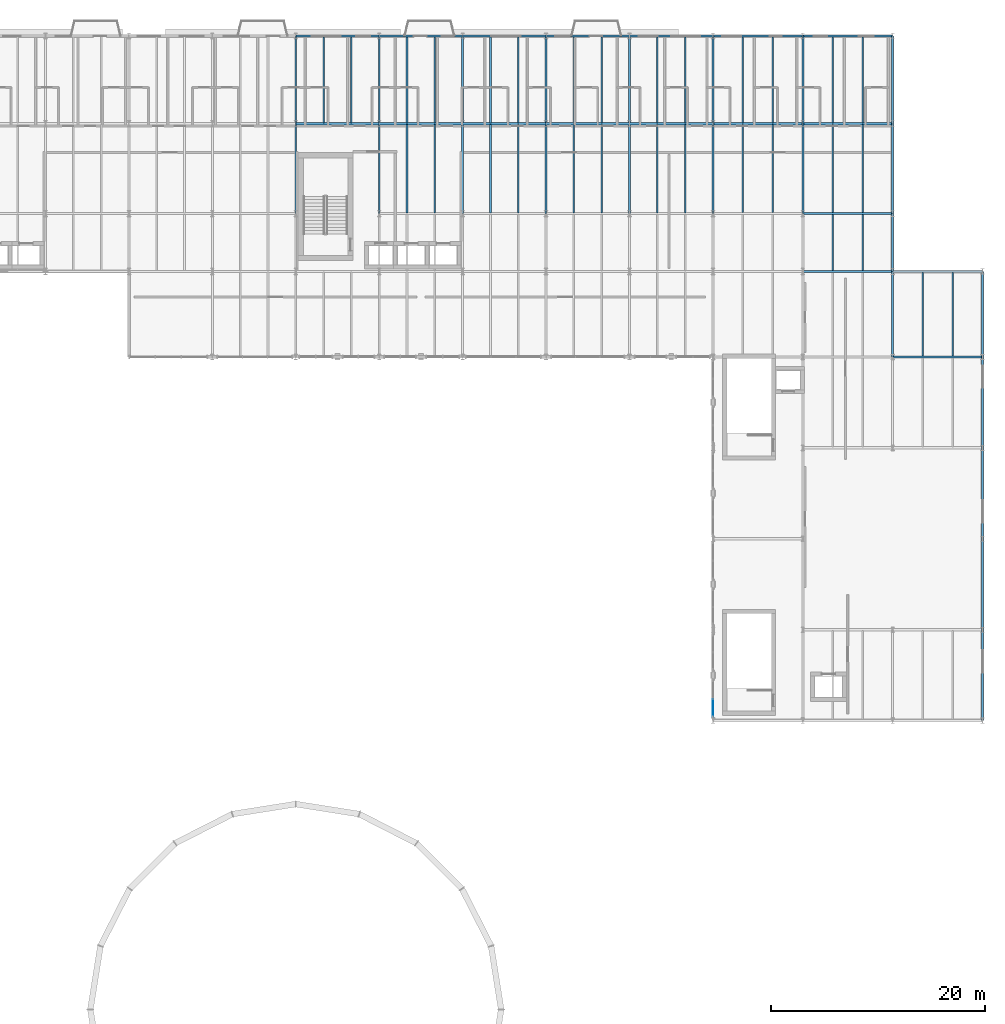
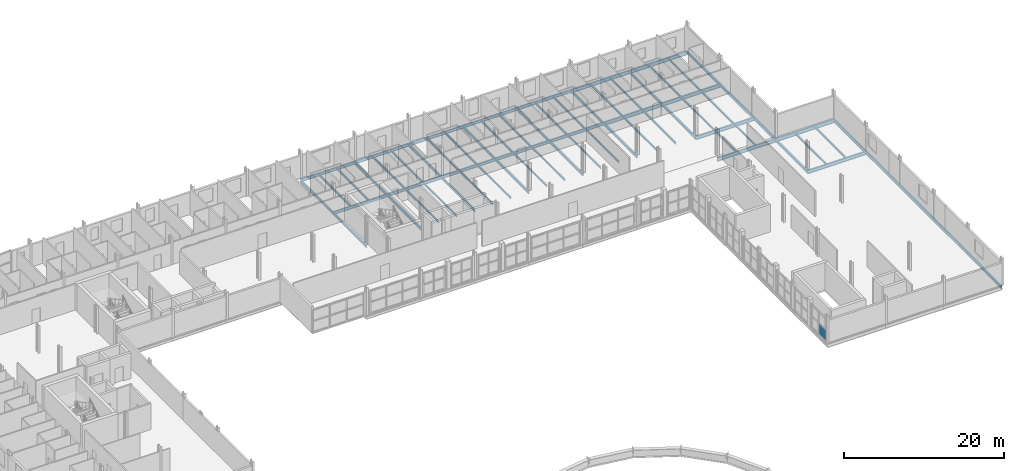
# One storey, part 21 of 45: 71 beams, 1 plate, 1 element without a shape of its own.
"""IFC4 building model written with IfcOpenShell, lengths in metres."""

from ifc_helpers import new_model, si_unit, direction, frame, origin, origin_2d, place, context, subcontext, project, spatial, rectangle, i_section, extrude, material, layer, layer_set, material_profile, profile_set, type_object, element, aggregate, save


model = new_model("IFC4")

# Units and contexts
model_context = context("Model", 3, precision=1e-05, world=origin(), true_north=direction((0.0, 1.0)))
body_context = subcontext(model_context, "Body", "Model", "MODEL_VIEW")
ifc_project = project(units=[si_unit("LENGTHUNIT", "METRE"), si_unit("AREAUNIT", "SQUARE_METRE"), si_unit("VOLUMEUNIT", "CUBIC_METRE"), si_unit("PLANEANGLEUNIT", "RADIAN"), si_unit("MASSUNIT", "GRAM", prefix="KILO")], contexts=[model_context])

# Site, building, storey
site_placement = place(None, origin())
site = spatial("IfcSite", under=ifc_project, at=site_placement, CompositionType="ELEMENT")
building_placement = place(site_placement, origin())
building = spatial("IfcBuilding", under=site, at=building_placement, Name="Sefraquen Railside Congress Hotel", CompositionType="ELEMENT")
storey_placement = place(building_placement, frame((0.0, 0.0, 20.39990234375)))
storey = spatial("IfcBuildingStorey", under=building, at=storey_placement, Name="L04", CompositionType="ELEMENT", Elevation=20.39990234375)

# Beams
ifc_material_1 = material(Name="Steel S355JR", Category="steel")
ifc_material_profile_1 = material_profile(ifc_material_1, i_section(OverallWidth=0.179931640625, OverallDepth=0.39990234375, WebThickness=0.008544921875, FlangeThickness=0.013427734375, FilletRadius=0.02099609375, at=origin_2d()), Name="IPE 400")
ifc_profile_set_1 = profile_set([ifc_material_profile_1], Name="Steel S355JR")
beam_type_1 = type_object("IfcBeamType", Name="TB-BM-400I", PredefinedType="BEAM", material=ifc_profile_set_1)
beam_1_placement = place(storey_placement, frame((64.199951171875, 101.39990234375, -0.47998046875), z_axis=(0.0, 1.0, 0.0), x_axis=(-1.0, 0.0, 0.0)))
element("IfcBeam", 1, at=beam_1_placement, inside=storey, type_object=beam_type_1, Name="Floor beam BM-L04-1378", PredefinedType="BEAM", context=body_context, shape_type="SweptSolid", body=[
    extrude(i_section(OverallWidth=0.179931640625, OverallDepth=0.39990234375, WebThickness=0.008544921875, FlangeThickness=0.013427734375, FilletRadius=0.02099609375, at=origin_2d()), origin(), (0.0, 0.0, 1.0), 8.400146484375),
])
beam_2_placement = place(storey_placement, frame((64.199951171875, 109.800048828125, -0.47998046875), z_axis=(0.0, 1.0, 0.0), x_axis=(-1.0, 0.0, 0.0)))
element("IfcBeam", 2, at=beam_2_placement, inside=storey, type_object=beam_type_1, Name="Floor beam BM-L04-1379", PredefinedType="BEAM", context=body_context, shape_type="SweptSolid", body=[
    extrude(i_section(OverallWidth=0.179931640625, OverallDepth=0.39990234375, WebThickness=0.008544921875, FlangeThickness=0.013427734375, FilletRadius=0.02099609375, at=origin_2d()), origin(), (0.0, 0.0, 1.0), 8.199951171875),
])
beam_3_placement = place(storey_placement, frame((72.0, 101.39990234375, -0.47998046875), z_axis=(0.0, 1.0, 0.0), x_axis=(-1.0, 0.0, 0.0)))
element("IfcBeam", 3, at=beam_3_placement, inside=storey, type_object=beam_type_1, Name="Floor beam BM-L04-1382", PredefinedType="BEAM", context=body_context, shape_type="SweptSolid", body=[
    extrude(i_section(OverallWidth=0.179931640625, OverallDepth=0.39990234375, WebThickness=0.008544921875, FlangeThickness=0.013427734375, FilletRadius=0.02099609375, at=origin_2d()), origin(), (0.0, 0.0, 1.0), 8.400146484375),
])
beam_4_placement = place(storey_placement, frame((72.0, 109.800048828125, -0.47998046875), z_axis=(0.0, 1.0, 0.0), x_axis=(-1.0, 0.0, 0.0)))
element("IfcBeam", 4, at=beam_4_placement, inside=storey, type_object=beam_type_1, Name="Floor beam BM-L04-1383", PredefinedType="BEAM", context=body_context, shape_type="SweptSolid", body=[
    extrude(i_section(OverallWidth=0.179931640625, OverallDepth=0.39990234375, WebThickness=0.008544921875, FlangeThickness=0.013427734375, FilletRadius=0.02099609375, at=origin_2d()), origin(), (0.0, 0.0, 1.0), 8.199951171875),
])
beam_5_placement = place(storey_placement, frame((79.800048828125, 101.39990234375, -0.47998046875), z_axis=(0.0, 1.0, 0.0), x_axis=(-1.0, 0.0, 0.0)))
element("IfcBeam", 5, at=beam_5_placement, inside=storey, type_object=beam_type_1, Name="Floor beam BM-L04-1386", PredefinedType="BEAM", context=body_context, shape_type="SweptSolid", body=[
    extrude(i_section(OverallWidth=0.179931640625, OverallDepth=0.39990234375, WebThickness=0.008544921875, FlangeThickness=0.013427734375, FilletRadius=0.02099609375, at=origin_2d()), origin(), (0.0, 0.0, 1.0), 8.400146484375),
])
beam_6_placement = place(storey_placement, frame((79.800048828125, 109.800048828125, -0.47998046875), z_axis=(0.0, 1.0, 0.0), x_axis=(-1.0, 0.0, 0.0)))
element("IfcBeam", 6, at=beam_6_placement, inside=storey, type_object=beam_type_1, Name="Floor beam BM-L04-1387", PredefinedType="BEAM", context=body_context, shape_type="SweptSolid", body=[
    extrude(i_section(OverallWidth=0.179931640625, OverallDepth=0.39990234375, WebThickness=0.008544921875, FlangeThickness=0.013427734375, FilletRadius=0.02099609375, at=origin_2d()), origin(), (0.0, 0.0, 1.0), 8.199951171875),
])
beam_7_placement = place(storey_placement, frame((87.60009765625, 101.39990234375, -0.47998046875), z_axis=(0.0, 1.0, 0.0), x_axis=(-1.0, 0.0, 0.0)))
element("IfcBeam", 7, at=beam_7_placement, inside=storey, type_object=beam_type_1, Name="Floor beam BM-L04-1390", PredefinedType="BEAM", context=body_context, shape_type="SweptSolid", body=[
    extrude(i_section(OverallWidth=0.179931640625, OverallDepth=0.39990234375, WebThickness=0.008544921875, FlangeThickness=0.013427734375, FilletRadius=0.02099609375, at=origin_2d()), origin(), (0.0, 0.0, 1.0), 8.400146484375),
])
beam_8_placement = place(storey_placement, frame((87.60009765625, 109.800048828125, -0.47998046875), z_axis=(0.0, 1.0, 0.0), x_axis=(-1.0, 0.0, 0.0)))
element("IfcBeam", 8, at=beam_8_placement, inside=storey, type_object=beam_type_1, Name="Floor beam BM-L04-1391", PredefinedType="BEAM", context=body_context, shape_type="SweptSolid", body=[
    extrude(i_section(OverallWidth=0.179931640625, OverallDepth=0.39990234375, WebThickness=0.008544921875, FlangeThickness=0.013427734375, FilletRadius=0.02099609375, at=origin_2d()), origin(), (0.0, 0.0, 1.0), 8.199951171875),
])
beam_9_placement = place(storey_placement, frame((95.39990234375, 101.39990234375, -0.47998046875), z_axis=(0.0, 1.0, 0.0), x_axis=(-1.0, 0.0, 0.0)))
element("IfcBeam", 9, at=beam_9_placement, inside=storey, type_object=beam_type_1, Name="Floor beam BM-L04-1394", PredefinedType="BEAM", context=body_context, shape_type="SweptSolid", body=[
    extrude(i_section(OverallWidth=0.179931640625, OverallDepth=0.39990234375, WebThickness=0.008544921875, FlangeThickness=0.013427734375, FilletRadius=0.02099609375, at=origin_2d()), origin(), (0.0, 0.0, 1.0), 8.400146484375),
])
beam_10_placement = place(storey_placement, frame((95.39990234375, 109.800048828125, -0.47998046875), z_axis=(0.0, 1.0, 0.0), x_axis=(-1.0, 0.0, 0.0)))
element("IfcBeam", 10, at=beam_10_placement, inside=storey, type_object=beam_type_1, Name="Floor beam BM-L04-1395", PredefinedType="BEAM", context=body_context, shape_type="SweptSolid", body=[
    extrude(i_section(OverallWidth=0.179931640625, OverallDepth=0.39990234375, WebThickness=0.008544921875, FlangeThickness=0.013427734375, FilletRadius=0.02099609375, at=origin_2d()), origin(), (0.0, 0.0, 1.0), 8.199951171875),
])
beam_11_placement = place(storey_placement, frame((103.199951171875, 101.39990234375, -0.47998046875), z_axis=(0.0, 1.0, 0.0), x_axis=(-1.0, 0.0, 0.0)))
element("IfcBeam", 11, at=beam_11_placement, inside=storey, type_object=beam_type_1, Name="Floor beam BM-L04-1402", PredefinedType="BEAM", context=body_context, shape_type="SweptSolid", body=[
    extrude(i_section(OverallWidth=0.179931640625, OverallDepth=0.39990234375, WebThickness=0.008544921875, FlangeThickness=0.013427734375, FilletRadius=0.02099609375, at=origin_2d()), origin(), (0.0, 0.0, 1.0), 8.400146484375),
])
beam_12_placement = place(storey_placement, frame((103.199951171875, 109.800048828125, -0.47998046875), z_axis=(0.0, 1.0, 0.0), x_axis=(-1.0, 0.0, 0.0)))
element("IfcBeam", 12, at=beam_12_placement, inside=storey, type_object=beam_type_1, Name="Floor beam BM-L04-1403", PredefinedType="BEAM", context=body_context, shape_type="SweptSolid", body=[
    extrude(i_section(OverallWidth=0.179931640625, OverallDepth=0.39990234375, WebThickness=0.008544921875, FlangeThickness=0.013427734375, FilletRadius=0.02099609375, at=origin_2d()), origin(), (0.0, 0.0, 1.0), 8.199951171875),
])
beam_13_placement = place(storey_placement, frame((111.60009765625, 101.39990234375, -0.47998046875), z_axis=(0.0, 1.0, 0.0), x_axis=(-1.0, 0.0, 0.0)))
element("IfcBeam", 13, at=beam_13_placement, inside=storey, type_object=beam_type_1, Name="Floor beam BM-L04-1410", PredefinedType="BEAM", context=body_context, shape_type="SweptSolid", body=[
    extrude(i_section(OverallWidth=0.179931640625, OverallDepth=0.39990234375, WebThickness=0.008544921875, FlangeThickness=0.013427734375, FilletRadius=0.02099609375, at=origin_2d()), origin(), (0.0, 0.0, 1.0), 8.400146484375),
])
beam_14_placement = place(storey_placement, frame((111.60009765625, 109.800048828125, -0.47998046875), z_axis=(0.0, 1.0, 0.0), x_axis=(-1.0, 0.0, 0.0)))
element("IfcBeam", 14, at=beam_14_placement, inside=storey, type_object=beam_type_1, Name="Floor beam BM-L04-1411", PredefinedType="BEAM", context=body_context, shape_type="SweptSolid", body=[
    extrude(i_section(OverallWidth=0.179931640625, OverallDepth=0.39990234375, WebThickness=0.008544921875, FlangeThickness=0.013427734375, FilletRadius=0.02099609375, at=origin_2d()), origin(), (0.0, 0.0, 1.0), 8.199951171875),
])
beam_15_placement = place(storey_placement, frame((120.0, 88.0, -0.47998046875), z_axis=(0.0, 1.0, 0.0), x_axis=(-1.0, 0.0, 0.0)))
element("IfcBeam", 15, at=beam_15_placement, inside=storey, type_object=beam_type_1, Name="Floor beam BM-L04-1414", PredefinedType="BEAM", context=body_context, shape_type="SweptSolid", body=[
    extrude(i_section(OverallWidth=0.179931640625, OverallDepth=0.39990234375, WebThickness=0.008544921875, FlangeThickness=0.013427734375, FilletRadius=0.02099609375, at=origin_2d()), origin(), (0.0, 0.0, 1.0), 8.0),
])
beam_16_placement = place(storey_placement, frame((120.0, 96.0, -0.47998046875), z_axis=(0.0, 1.0, 0.0), x_axis=(-1.0, 0.0, 0.0)))
element("IfcBeam", 16, at=beam_16_placement, inside=storey, type_object=beam_type_1, Name="Floor beam BM-L04-1415", PredefinedType="BEAM", context=body_context, shape_type="SweptSolid", body=[
    extrude(i_section(OverallWidth=0.179931640625, OverallDepth=0.39990234375, WebThickness=0.008544921875, FlangeThickness=0.013427734375, FilletRadius=0.02099609375, at=origin_2d()), origin(), (0.0, 0.0, 1.0), 5.39990234375),
])
beam_17_placement = place(storey_placement, frame((120.0, 101.39990234375, -0.47998046875), z_axis=(0.0, 1.0, 0.0), x_axis=(-1.0, 0.0, 0.0)))
element("IfcBeam", 17, at=beam_17_placement, inside=storey, type_object=beam_type_1, Name="Floor beam BM-L04-1416", PredefinedType="BEAM", context=body_context, shape_type="SweptSolid", body=[
    extrude(i_section(OverallWidth=0.179931640625, OverallDepth=0.39990234375, WebThickness=0.008544921875, FlangeThickness=0.013427734375, FilletRadius=0.02099609375, at=origin_2d()), origin(), (0.0, 0.0, 1.0), 8.400146484375),
])
beam_18_placement = place(storey_placement, frame((120.0, 109.800048828125, -0.47998046875), z_axis=(0.0, 1.0, 0.0), x_axis=(-1.0, 0.0, 0.0)))
element("IfcBeam", 18, at=beam_18_placement, inside=storey, type_object=beam_type_1, Name="Floor beam BM-L04-1417", PredefinedType="BEAM", context=body_context, shape_type="SweptSolid", body=[
    extrude(i_section(OverallWidth=0.179931640625, OverallDepth=0.39990234375, WebThickness=0.008544921875, FlangeThickness=0.013427734375, FilletRadius=0.02099609375, at=origin_2d()), origin(), (0.0, 0.0, 1.0), 8.199951171875),
])
for number, where, z_axis, x_axis, name in (
    (19, (128.39990234375, 54.0, -0.47998046875), (0.0, 1.0, 0.0), (-1.0, 0.0, 0.0), "Floor beam BM-L04-1418"),
    (20, (128.39990234375, 62.5, -0.47998046875), (0.0, 1.0, 0.0), (-1.0, 0.0, 0.0), "Floor beam BM-L04-1419"),
    (21, (128.39990234375, 71.0, -0.47998046875), (0.0, 1.0, 0.0), (-1.0, 0.0, 0.0), "Floor beam BM-L04-1420"),
    (22, (128.39990234375, 79.5, -0.47998046875), (0.0, 1.0, 0.0), (-1.0, 0.0, 0.0), "Floor beam BM-L04-1421"),
):
    element("IfcBeam", number, at=place(storey_placement, frame(where, z_axis=z_axis, x_axis=x_axis)), inside=storey, type_object=beam_type_1, Name=name, PredefinedType="BEAM", context=body_context, shape_type="SweptSolid", body=[
        extrude(i_section(OverallWidth=0.179931640625, OverallDepth=0.39990234375, WebThickness=0.008544921875, FlangeThickness=0.013427734375, FilletRadius=0.02099609375, at=origin_2d()), origin(), (0.0, 0.0, 1.0), 8.5),
    ])
beam_19_placement = place(storey_placement, frame((128.39990234375, 88.0, -0.47998046875), z_axis=(0.0, 1.0, 0.0), x_axis=(-1.0, 0.0, 0.0)))
element("IfcBeam", 23, at=beam_19_placement, inside=storey, type_object=beam_type_1, Name="Floor beam BM-L04-1422", PredefinedType="BEAM", context=body_context, shape_type="SweptSolid", body=[
    extrude(i_section(OverallWidth=0.179931640625, OverallDepth=0.39990234375, WebThickness=0.008544921875, FlangeThickness=0.013427734375, FilletRadius=0.02099609375, at=origin_2d()), origin(), (0.0, 0.0, 1.0), 8.0),
])
ifc_material_profile_2 = material_profile(ifc_material_1, i_section(OverallWidth=0.18994140625, OverallDepth=0.449951171875, WebThickness=0.009521484375, FlangeThickness=0.0146484375, FilletRadius=0.02099609375, at=origin_2d()), Name="IPE 450")
ifc_profile_set_2 = profile_set([ifc_material_profile_2], Name="Steel S355JR")
beam_type_2 = type_object("IfcBeamType", Name="TB-BM-450", PredefinedType="BEAM", material=ifc_profile_set_2)
for number, where, z_axis, x_axis, name in (
    (24, (64.199951171875, 109.800048828125, -0.5048828125), (1.0, 0.0, 0.0), (0.0, 1.0, 0.0), "Primary girder BM-L04-1322"),
    (25, (72.0, 109.800048828125, -0.5048828125), (1.0, 0.0, 0.0), (0.0, 1.0, 0.0), "Primary girder BM-L04-1323"),
    (26, (79.800048828125, 109.800048828125, -0.5048828125), (1.0, 0.0, 0.0), (0.0, 1.0, 0.0), "Primary girder BM-L04-1324"),
):
    element("IfcBeam", number, at=place(storey_placement, frame(where, z_axis=z_axis, x_axis=x_axis)), inside=storey, type_object=beam_type_2, Name=name, PredefinedType="BEAM", context=body_context, shape_type="SweptSolid", body=[
        extrude(i_section(OverallWidth=0.18994140625, OverallDepth=0.449951171875, WebThickness=0.009521484375, FlangeThickness=0.0146484375, FilletRadius=0.02099609375, at=origin_2d()), origin(), (0.0, 0.0, 1.0), 7.800048828125),
    ])
beam_20_placement = place(storey_placement, frame((87.60009765625, 109.800048828125, -0.5048828125), z_axis=(1.0, 0.0, 0.0), x_axis=(0.0, 1.0, 0.0)))
element("IfcBeam", 27, at=beam_20_placement, inside=storey, type_object=beam_type_2, Name="Primary girder BM-L04-1325", PredefinedType="BEAM", context=body_context, shape_type="SweptSolid", body=[
    extrude(i_section(OverallWidth=0.18994140625, OverallDepth=0.449951171875, WebThickness=0.009521484375, FlangeThickness=0.0146484375, FilletRadius=0.02099609375, at=origin_2d()), origin(), (0.0, 0.0, 1.0), 7.7998046875),
])
for number, where, z_axis, x_axis, name in (
    (28, (95.39990234375, 109.800048828125, -0.5048828125), (1.0, 0.0, 0.0), (0.0, 1.0, 0.0), "Primary girder BM-L04-1326"),
    (29, (64.199951171875, 118.0, -0.5048828125), (1.0, 0.0, 0.0), (0.0, 1.0, 0.0), "Primary girder BM-L04-1334"),
    (30, (72.0, 118.0, -0.5048828125), (1.0, 0.0, 0.0), (0.0, 1.0, 0.0), "Primary girder BM-L04-1335"),
    (31, (79.800048828125, 118.0, -0.5048828125), (1.0, 0.0, 0.0), (0.0, 1.0, 0.0), "Primary girder BM-L04-1336"),
):
    element("IfcBeam", number, at=place(storey_placement, frame(where, z_axis=z_axis, x_axis=x_axis)), inside=storey, type_object=beam_type_2, Name=name, PredefinedType="BEAM", context=body_context, shape_type="SweptSolid", body=[
        extrude(i_section(OverallWidth=0.18994140625, OverallDepth=0.449951171875, WebThickness=0.009521484375, FlangeThickness=0.0146484375, FilletRadius=0.02099609375, at=origin_2d()), origin(), (0.0, 0.0, 1.0), 7.800048828125),
    ])
beam_21_placement = place(storey_placement, frame((87.60009765625, 118.0, -0.5048828125), z_axis=(1.0, 0.0, 0.0), x_axis=(0.0, 1.0, 0.0)))
element("IfcBeam", 32, at=beam_21_placement, inside=storey, type_object=beam_type_2, Name="Primary girder BM-L04-1337", PredefinedType="BEAM", context=body_context, shape_type="SweptSolid", body=[
    extrude(i_section(OverallWidth=0.18994140625, OverallDepth=0.449951171875, WebThickness=0.009521484375, FlangeThickness=0.0146484375, FilletRadius=0.02099609375, at=origin_2d()), origin(), (0.0, 0.0, 1.0), 7.7998046875),
])
beam_22_placement = place(storey_placement, frame((95.39990234375, 118.0, -0.5048828125), z_axis=(1.0, 0.0, 0.0), x_axis=(0.0, 1.0, 0.0)))
element("IfcBeam", 33, at=beam_22_placement, inside=storey, type_object=beam_type_2, Name="Primary girder BM-L04-1338", PredefinedType="BEAM", context=body_context, shape_type="SweptSolid", body=[
    extrude(i_section(OverallWidth=0.18994140625, OverallDepth=0.449951171875, WebThickness=0.009521484375, FlangeThickness=0.0146484375, FilletRadius=0.02099609375, at=origin_2d()), origin(), (0.0, 0.0, 1.0), 7.800048828125),
])
ifc_material_profile_3 = material_profile(ifc_material_1, i_section(OverallWidth=0.2099609375, OverallDepth=0.550048828125, WebThickness=0.010986328125, FlangeThickness=0.01708984375, FilletRadius=0.02392578125, at=origin_2d()), Name="IPE 550")
ifc_profile_set_3 = profile_set([ifc_material_profile_3], Name="Steel S355JR")
beam_type_3 = type_object("IfcBeamType", Name="TB-GIR-550", PredefinedType="T_BEAM", material=ifc_profile_set_3)
for number, where, z_axis, x_axis, name in (
    (34, (120.0, 88.0, -0.554931640625), (1.0, 0.0, 0.0), (0.0, 1.0, 0.0), "Primary girder BM-L04-1287"),
    (35, (111.60009765625, 96.0, -0.554931640625), (1.0, 0.0, 0.0), (0.0, 1.0, 0.0), "Primary girder BM-L04-1301"),
    (36, (120.0, 96.0, -0.554931640625), (1.0, 0.0, 0.0), (0.0, 1.0, 0.0), "Primary girder BM-L04-1302"),
    (37, (111.60009765625, 101.39990234375, -0.554931640625), (1.0, 0.0, 0.0), (0.0, 1.0, 0.0), "Primary girder BM-L04-1314"),
):
    element("IfcBeam", number, at=place(storey_placement, frame(where, z_axis=z_axis, x_axis=x_axis)), inside=storey, type_object=beam_type_3, Name=name, PredefinedType="T_BEAM", context=body_context, shape_type="SweptSolid", body=[
        extrude(i_section(OverallWidth=0.2099609375, OverallDepth=0.550048828125, WebThickness=0.010986328125, FlangeThickness=0.01708984375, FilletRadius=0.02392578125, at=origin_2d()), origin(), (0.0, 0.0, 1.0), 8.39990234375),
    ])
beam_23_placement = place(storey_placement, frame((103.199951171875, 109.800048828125, -0.554931640625), z_axis=(1.0, 0.0, 0.0), x_axis=(0.0, 1.0, 0.0)))
element("IfcBeam", 38, at=beam_23_placement, inside=storey, type_object=beam_type_3, Name="Primary girder BM-L04-1327", PredefinedType="T_BEAM", context=body_context, shape_type="SweptSolid", body=[
    extrude(i_section(OverallWidth=0.2099609375, OverallDepth=0.550048828125, WebThickness=0.010986328125, FlangeThickness=0.01708984375, FilletRadius=0.02392578125, at=origin_2d()), origin(), (0.0, 0.0, 1.0), 8.400146484375),
])
beam_24_placement = place(storey_placement, frame((111.60009765625, 109.800048828125, -0.554931640625), z_axis=(1.0, 0.0, 0.0), x_axis=(0.0, 1.0, 0.0)))
element("IfcBeam", 39, at=beam_24_placement, inside=storey, type_object=beam_type_3, Name="Primary girder BM-L04-1328", PredefinedType="T_BEAM", context=body_context, shape_type="SweptSolid", body=[
    extrude(i_section(OverallWidth=0.2099609375, OverallDepth=0.550048828125, WebThickness=0.010986328125, FlangeThickness=0.01708984375, FilletRadius=0.02392578125, at=origin_2d()), origin(), (0.0, 0.0, 1.0), 8.39990234375),
])
beam_25_placement = place(storey_placement, frame((103.199951171875, 118.0, -0.554931640625), z_axis=(1.0, 0.0, 0.0), x_axis=(0.0, 1.0, 0.0)))
element("IfcBeam", 40, at=beam_25_placement, inside=storey, type_object=beam_type_3, Name="Primary girder BM-L04-1339", PredefinedType="T_BEAM", context=body_context, shape_type="SweptSolid", body=[
    extrude(i_section(OverallWidth=0.2099609375, OverallDepth=0.550048828125, WebThickness=0.010986328125, FlangeThickness=0.01708984375, FilletRadius=0.02392578125, at=origin_2d()), origin(), (0.0, 0.0, 1.0), 8.400146484375),
])
beam_26_placement = place(storey_placement, frame((111.60009765625, 118.0, -0.554931640625), z_axis=(1.0, 0.0, 0.0), x_axis=(0.0, 1.0, 0.0)))
element("IfcBeam", 41, at=beam_26_placement, inside=storey, type_object=beam_type_3, Name="Primary girder BM-L04-1340", PredefinedType="T_BEAM", context=body_context, shape_type="SweptSolid", body=[
    extrude(i_section(OverallWidth=0.2099609375, OverallDepth=0.550048828125, WebThickness=0.010986328125, FlangeThickness=0.01708984375, FilletRadius=0.02392578125, at=origin_2d()), origin(), (0.0, 0.0, 1.0), 8.39990234375),
])
ifc_material_profile_4 = material_profile(ifc_material_1, i_section(OverallWidth=0.14990234375, OverallDepth=0.300048828125, WebThickness=0.007080078125, FlangeThickness=0.0107421875, FilletRadius=0.014892578125, at=origin_2d()), Name="IPE 300")
ifc_profile_set_4 = profile_set([ifc_material_profile_4], Name="Steel S355JR")
beam_type_4 = type_object("IfcBeamType", Name="TB-JST-300", PredefinedType="JOIST", material=ifc_profile_set_4)
for number, where, z_axis, x_axis, name in (
    (42, (66.800048828125, 109.875, -0.429931640625), (0.0, 1.0, 0.0), (-1.0, 0.0, 0.0), "Composite floor joist BM-L04-J0878"),
    (43, (69.39990234375, 109.875, -0.429931640625), (0.0, 1.0, 0.0), (-1.0, 0.0, 0.0), "Composite floor joist BM-L04-J0879"),
):
    element("IfcBeam", number, at=place(storey_placement, frame(where, z_axis=z_axis, x_axis=x_axis)), inside=storey, type_object=beam_type_4, Name=name, PredefinedType="JOIST", context=body_context, shape_type="SweptSolid", body=[
        extrude(i_section(OverallWidth=0.14990234375, OverallDepth=0.300048828125, WebThickness=0.007080078125, FlangeThickness=0.0107421875, FilletRadius=0.014892578125, at=origin_2d()), origin(), (0.0, 0.0, 1.0), 8.050048828125),
    ])
for number, where, z_axis, x_axis, name in (
    (44, (74.60009765625, 101.47509765625, -0.429931640625), (0.0, 1.0, 0.0), (-1.0, 0.0, 0.0), "Composite floor joist BM-L04-J0884"),
    (45, (77.199951171875, 101.47509765625, -0.429931640625), (0.0, 1.0, 0.0), (-1.0, 0.0, 0.0), "Composite floor joist BM-L04-J0885"),
):
    element("IfcBeam", number, at=place(storey_placement, frame(where, z_axis=z_axis, x_axis=x_axis)), inside=storey, type_object=beam_type_4, Name=name, PredefinedType="JOIST", context=body_context, shape_type="SweptSolid", body=[
        extrude(i_section(OverallWidth=0.14990234375, OverallDepth=0.300048828125, WebThickness=0.007080078125, FlangeThickness=0.0107421875, FilletRadius=0.014892578125, at=origin_2d()), origin(), (0.0, 0.0, 1.0), 8.25),
    ])
for number, where, z_axis, x_axis, name in (
    (46, (74.60009765625, 109.875, -0.429931640625), (0.0, 1.0, 0.0), (-1.0, 0.0, 0.0), "Composite floor joist BM-L04-J0886"),
    (47, (77.199951171875, 109.875, -0.429931640625), (0.0, 1.0, 0.0), (-1.0, 0.0, 0.0), "Composite floor joist BM-L04-J0887"),
):
    element("IfcBeam", number, at=place(storey_placement, frame(where, z_axis=z_axis, x_axis=x_axis)), inside=storey, type_object=beam_type_4, Name=name, PredefinedType="JOIST", context=body_context, shape_type="SweptSolid", body=[
        extrude(i_section(OverallWidth=0.14990234375, OverallDepth=0.300048828125, WebThickness=0.007080078125, FlangeThickness=0.0107421875, FilletRadius=0.014892578125, at=origin_2d()), origin(), (0.0, 0.0, 1.0), 8.050048828125),
    ])
for number, where, z_axis, x_axis, name in (
    (48, (82.39990234375, 101.47509765625, -0.429931640625), (0.0, 1.0, 0.0), (-1.0, 0.0, 0.0), "Composite floor joist BM-L04-J0892"),
    (49, (85.0, 101.47509765625, -0.429931640625), (0.0, 1.0, 0.0), (-1.0, 0.0, 0.0), "Composite floor joist BM-L04-J0893"),
):
    element("IfcBeam", number, at=place(storey_placement, frame(where, z_axis=z_axis, x_axis=x_axis)), inside=storey, type_object=beam_type_4, Name=name, PredefinedType="JOIST", context=body_context, shape_type="SweptSolid", body=[
        extrude(i_section(OverallWidth=0.14990234375, OverallDepth=0.300048828125, WebThickness=0.007080078125, FlangeThickness=0.0107421875, FilletRadius=0.014892578125, at=origin_2d()), origin(), (0.0, 0.0, 1.0), 8.25),
    ])
for number, where, z_axis, x_axis, name in (
    (50, (82.39990234375, 109.875, -0.429931640625), (0.0, 1.0, 0.0), (-1.0, 0.0, 0.0), "Composite floor joist BM-L04-J0894"),
    (51, (85.0, 109.875, -0.429931640625), (0.0, 1.0, 0.0), (-1.0, 0.0, 0.0), "Composite floor joist BM-L04-J0895"),
):
    element("IfcBeam", number, at=place(storey_placement, frame(where, z_axis=z_axis, x_axis=x_axis)), inside=storey, type_object=beam_type_4, Name=name, PredefinedType="JOIST", context=body_context, shape_type="SweptSolid", body=[
        extrude(i_section(OverallWidth=0.14990234375, OverallDepth=0.300048828125, WebThickness=0.007080078125, FlangeThickness=0.0107421875, FilletRadius=0.014892578125, at=origin_2d()), origin(), (0.0, 0.0, 1.0), 8.050048828125),
    ])
for number, where, z_axis, x_axis, name in (
    (52, (90.199951171875, 101.47509765625, -0.429931640625), (0.0, 1.0, 0.0), (-1.0, 0.0, 0.0), "Composite floor joist BM-L04-J0900"),
    (53, (92.800048828125, 101.47509765625, -0.429931640625), (0.0, 1.0, 0.0), (-1.0, 0.0, 0.0), "Composite floor joist BM-L04-J0901"),
):
    element("IfcBeam", number, at=place(storey_placement, frame(where, z_axis=z_axis, x_axis=x_axis)), inside=storey, type_object=beam_type_4, Name=name, PredefinedType="JOIST", context=body_context, shape_type="SweptSolid", body=[
        extrude(i_section(OverallWidth=0.14990234375, OverallDepth=0.300048828125, WebThickness=0.007080078125, FlangeThickness=0.0107421875, FilletRadius=0.014892578125, at=origin_2d()), origin(), (0.0, 0.0, 1.0), 8.25),
    ])
for number, where, z_axis, x_axis, name in (
    (54, (90.199951171875, 109.875, -0.429931640625), (0.0, 1.0, 0.0), (-1.0, 0.0, 0.0), "Composite floor joist BM-L04-J0902"),
    (55, (92.800048828125, 109.875, -0.429931640625), (0.0, 1.0, 0.0), (-1.0, 0.0, 0.0), "Composite floor joist BM-L04-J0903"),
):
    element("IfcBeam", number, at=place(storey_placement, frame(where, z_axis=z_axis, x_axis=x_axis)), inside=storey, type_object=beam_type_4, Name=name, PredefinedType="JOIST", context=body_context, shape_type="SweptSolid", body=[
        extrude(i_section(OverallWidth=0.14990234375, OverallDepth=0.300048828125, WebThickness=0.007080078125, FlangeThickness=0.0107421875, FilletRadius=0.014892578125, at=origin_2d()), origin(), (0.0, 0.0, 1.0), 8.050048828125),
    ])
for number, where, z_axis, x_axis, name in (
    (56, (98.0, 101.47509765625, -0.429931640625), (0.0, 1.0, 0.0), (-1.0, 0.0, 0.0), "Composite floor joist BM-L04-J0908"),
    (57, (100.60009765625, 101.47509765625, -0.429931640625), (0.0, 1.0, 0.0), (-1.0, 0.0, 0.0), "Composite floor joist BM-L04-J0909"),
):
    element("IfcBeam", number, at=place(storey_placement, frame(where, z_axis=z_axis, x_axis=x_axis)), inside=storey, type_object=beam_type_4, Name=name, PredefinedType="JOIST", context=body_context, shape_type="SweptSolid", body=[
        extrude(i_section(OverallWidth=0.14990234375, OverallDepth=0.300048828125, WebThickness=0.007080078125, FlangeThickness=0.0107421875, FilletRadius=0.014892578125, at=origin_2d()), origin(), (0.0, 0.0, 1.0), 8.25),
    ])
for number, where, z_axis, x_axis, name in (
    (58, (98.0, 109.875, -0.429931640625), (0.0, 1.0, 0.0), (-1.0, 0.0, 0.0), "Composite floor joist BM-L04-J0910"),
    (59, (100.60009765625, 109.875, -0.429931640625), (0.0, 1.0, 0.0), (-1.0, 0.0, 0.0), "Composite floor joist BM-L04-J0911"),
):
    element("IfcBeam", number, at=place(storey_placement, frame(where, z_axis=z_axis, x_axis=x_axis)), inside=storey, type_object=beam_type_4, Name=name, PredefinedType="JOIST", context=body_context, shape_type="SweptSolid", body=[
        extrude(i_section(OverallWidth=0.14990234375, OverallDepth=0.300048828125, WebThickness=0.007080078125, FlangeThickness=0.0107421875, FilletRadius=0.014892578125, at=origin_2d()), origin(), (0.0, 0.0, 1.0), 8.050048828125),
    ])
for number, where, z_axis, x_axis, name in (
    (60, (106.0, 101.485107421875, -0.429931640625), (0.0, 1.0, 0.0), (-1.0, 0.0, 0.0), "Composite floor joist BM-L04-J0916"),
    (61, (108.800048828125, 101.485107421875, -0.429931640625), (0.0, 1.0, 0.0), (-1.0, 0.0, 0.0), "Composite floor joist BM-L04-J0917"),
):
    element("IfcBeam", number, at=place(storey_placement, frame(where, z_axis=z_axis, x_axis=x_axis)), inside=storey, type_object=beam_type_4, Name=name, PredefinedType="JOIST", context=body_context, shape_type="SweptSolid", body=[
        extrude(i_section(OverallWidth=0.14990234375, OverallDepth=0.300048828125, WebThickness=0.007080078125, FlangeThickness=0.0107421875, FilletRadius=0.014892578125, at=origin_2d()), origin(), (0.0, 0.0, 1.0), 8.22998046875),
    ])
for number, where, z_axis, x_axis, name in (
    (62, (106.0, 109.885009765625, -0.429931640625), (0.0, 1.0, 0.0), (-1.0, 0.0, 0.0), "Composite floor joist BM-L04-J0918"),
    (63, (108.800048828125, 109.885009765625, -0.429931640625), (0.0, 1.0, 0.0), (-1.0, 0.0, 0.0), "Composite floor joist BM-L04-J0919"),
):
    element("IfcBeam", number, at=place(storey_placement, frame(where, z_axis=z_axis, x_axis=x_axis)), inside=storey, type_object=beam_type_4, Name=name, PredefinedType="JOIST", context=body_context, shape_type="SweptSolid", body=[
        extrude(i_section(OverallWidth=0.14990234375, OverallDepth=0.300048828125, WebThickness=0.007080078125, FlangeThickness=0.0107421875, FilletRadius=0.014892578125, at=origin_2d()), origin(), (0.0, 0.0, 1.0), 8.030029296875),
    ])
for number, where, z_axis, x_axis, name in (
    (64, (114.39990234375, 96.0849609375, -0.429931640625), (0.0, 1.0, 0.0), (-1.0, 0.0, 0.0), "Composite floor joist BM-L04-J0926"),
    (65, (117.199951171875, 96.0849609375, -0.429931640625), (0.0, 1.0, 0.0), (-1.0, 0.0, 0.0), "Composite floor joist BM-L04-J0927"),
):
    element("IfcBeam", number, at=place(storey_placement, frame(where, z_axis=z_axis, x_axis=x_axis)), inside=storey, type_object=beam_type_4, Name=name, PredefinedType="JOIST", context=body_context, shape_type="SweptSolid", body=[
        extrude(i_section(OverallWidth=0.14990234375, OverallDepth=0.300048828125, WebThickness=0.007080078125, FlangeThickness=0.0107421875, FilletRadius=0.014892578125, at=origin_2d()), origin(), (0.0, 0.0, 1.0), 5.22998046875),
    ])
for number, where, z_axis, x_axis, name in (
    (66, (114.39990234375, 101.485107421875, -0.429931640625), (0.0, 1.0, 0.0), (-1.0, 0.0, 0.0), "Composite floor joist BM-L04-J0928"),
    (67, (117.199951171875, 101.485107421875, -0.429931640625), (0.0, 1.0, 0.0), (-1.0, 0.0, 0.0), "Composite floor joist BM-L04-J0929"),
):
    element("IfcBeam", number, at=place(storey_placement, frame(where, z_axis=z_axis, x_axis=x_axis)), inside=storey, type_object=beam_type_4, Name=name, PredefinedType="JOIST", context=body_context, shape_type="SweptSolid", body=[
        extrude(i_section(OverallWidth=0.14990234375, OverallDepth=0.300048828125, WebThickness=0.007080078125, FlangeThickness=0.0107421875, FilletRadius=0.014892578125, at=origin_2d()), origin(), (0.0, 0.0, 1.0), 8.22998046875),
    ])
for number, where, z_axis, x_axis, name in (
    (68, (114.39990234375, 109.885009765625, -0.429931640625), (0.0, 1.0, 0.0), (-1.0, 0.0, 0.0), "Composite floor joist BM-L04-J0930"),
    (69, (117.199951171875, 109.885009765625, -0.429931640625), (0.0, 1.0, 0.0), (-1.0, 0.0, 0.0), "Composite floor joist BM-L04-J0931"),
):
    element("IfcBeam", number, at=place(storey_placement, frame(where, z_axis=z_axis, x_axis=x_axis)), inside=storey, type_object=beam_type_4, Name=name, PredefinedType="JOIST", context=body_context, shape_type="SweptSolid", body=[
        extrude(i_section(OverallWidth=0.14990234375, OverallDepth=0.300048828125, WebThickness=0.007080078125, FlangeThickness=0.0107421875, FilletRadius=0.014892578125, at=origin_2d()), origin(), (0.0, 0.0, 1.0), 8.030029296875),
    ])
for number, where, z_axis, x_axis, name in (
    (70, (122.800048828125, 88.0849609375, -0.429931640625), (0.0, 1.0, 0.0), (-1.0, 0.0, 0.0), "Composite floor joist BM-L04-J0936"),
    (71, (125.60009765625, 88.0849609375, -0.429931640625), (0.0, 1.0, 0.0), (-1.0, 0.0, 0.0), "Composite floor joist BM-L04-J0937"),
):
    element("IfcBeam", number, at=place(storey_placement, frame(where, z_axis=z_axis, x_axis=x_axis)), inside=storey, type_object=beam_type_4, Name=name, PredefinedType="JOIST", context=body_context, shape_type="SweptSolid", body=[
        extrude(i_section(OverallWidth=0.14990234375, OverallDepth=0.300048828125, WebThickness=0.007080078125, FlangeThickness=0.0107421875, FilletRadius=0.014892578125, at=origin_2d()), origin(), (0.0, 0.0, 1.0), 7.830078125),
    ])

# Curtain wall, plate
ifc_material_2 = material(Name="Thermally broken anodised aluminium and low-E double glazing", Category="aluminium")
ifc_layer_1 = layer(ifc_material_2, 0.199951171875)
ifc_layer_set_1 = layer_set([ifc_layer_1], Name="Thermally broken anodised aluminium and low-E double glazing")
curtain_wall_type = type_object("IfcCurtainWallType", Name="TCW-UCW-08", PredefinedType="USERDEFINED", material=ifc_layer_set_1)
curtain_wall_placement = place(storey_placement, origin())
curtain_wall = element("IfcCurtainWall", 72, at=curtain_wall_placement, inside=storey, type_object=curtain_wall_type, Name="Meeting Wing L04 courtyard east curtain wall", ObjectType="UNITISED CURTAIN WALL", PredefinedType="USERDEFINED")
ifc_material_3 = material(Name="Solar-control low-E double glazing", Category="glass")
ifc_layer_2 = layer(ifc_material_3, 0.02392578125)
ifc_layer_set_2 = layer_set([ifc_layer_2], Name="Solar-control low-E double glazing")
plate_type = type_object("IfcPlateType", Name="TP-CWP-01", PredefinedType="CURTAIN_PANEL", material=ifc_layer_set_2)
plate_placement = place(storey_placement, frame((103.199951171875, 55.175048828125, 0.0400390625), z_axis=(0.0, 0.0, 1.0), x_axis=(0.0, 1.0, 0.0)))
plate = element("IfcPlate", 73, at=plate_placement, type_object=plate_type, Name="CW-L04-072 panel 1.1", PredefinedType="CURTAIN_PANEL", context=body_context, shape_type="SweptSolid", body=[
    extrude(rectangle(XDim=1.639892578125, YDim=0.02392578125, at=origin_2d()), origin(), (0.0, 0.0, 1.0), 1.614990234375),
])
aggregate(curtain_wall, [plate])

save(model, "model.ifc")
